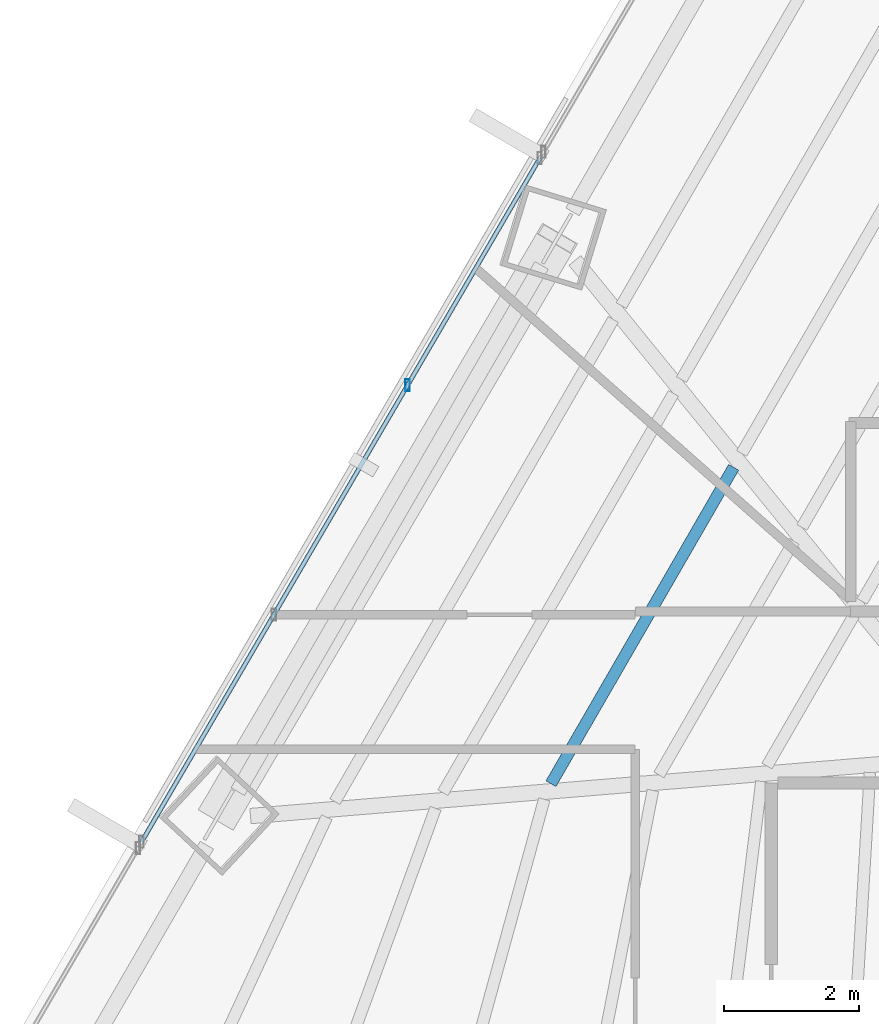
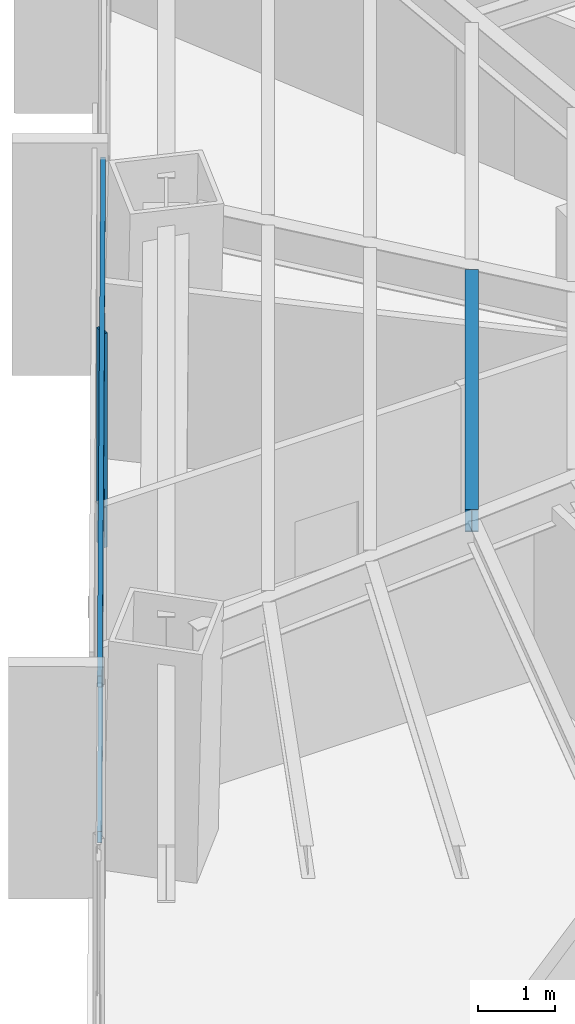
# One storey, part 14 of 37: 3 members, 1 beam, 1 element without a shape of its own.
"""IFC4 building model written with IfcOpenShell, lengths in metres."""

from ifc_helpers import new_model, si_unit, direction, frame, origin, origin_2d, place, context, subcontext, project, spatial, hollow_rectangle, i_section, extrude, source, transform, mapped, material, material_profile, profile_set, type_object, type_shapes, element, aggregate, save


model = new_model("IFC4")

# Units and contexts
model_context = context("Model", 3, precision=1e-05, world=origin(), true_north=direction((0.0, 1.0)))
body_context = subcontext(model_context, "Body", "Model", "MODEL_VIEW")
ifc_project = project(units=[si_unit("LENGTHUNIT", "METRE"), si_unit("AREAUNIT", "SQUARE_METRE"), si_unit("VOLUMEUNIT", "CUBIC_METRE"), si_unit("PLANEANGLEUNIT", "RADIAN"), si_unit("MASSUNIT", "GRAM", prefix="KILO")], contexts=[model_context])

# Site, building, storey
site_placement = place(None, origin())
site = spatial("IfcSite", under=ifc_project, at=site_placement, CompositionType="ELEMENT")
building_placement = place(site_placement, origin())
building = spatial("IfcBuilding", under=site, at=building_placement, Name="Caelisora Broadcast Tower", CompositionType="ELEMENT")
storey_placement = place(building_placement, frame((0.0, 0.0, 45.85009765625)))
storey = spatial("IfcBuildingStorey", under=building, at=storey_placement, Name="L11", CompositionType="ELEMENT", Elevation=45.85009765625)

# Beam
ifc_material_1 = material(Name="Steel Grade 350 (AS/NZS 3679.1)", Category="steel")
ifc_material_profile_1 = material_profile(ifc_material_1, i_section(OverallWidth=0.172119140625, OverallDepth=0.358642578125, WebThickness=0.008056640625, FlangeThickness=0.012939453125, at=origin_2d()), Name="Steel Grade 350 (AS/NZS 3679.1)")
ifc_profile_set_1 = profile_set([ifc_material_profile_1], Name="Steel Grade 350 (AS/NZS 3679.1)")
beam_type = type_object("IfcBeamType", Name="SB02", PredefinedType="JOIST", material=ifc_profile_set_1)
shared_shape_1 = source(origin(), body_context, "Body", "SweptSolid", [
    extrude(i_section(OverallWidth=0.172119140625, OverallDepth=0.358642578125, WebThickness=0.008056640625, FlangeThickness=0.012939453125, at=origin_2d()), origin(), (0.0, 0.0, 1.0), 5.431884765625),
])
type_shapes(beam_type, [shared_shape_1])
beam_placement = place(storey_placement, frame((26.861083984375, 34.29248046875, 3.220703125), z_axis=(-0.5000207315, -0.866013434116, 0.0), x_axis=(0.866013434116, -0.5000207315, 0.0)))
element("IfcBeam", 1, at=beam_placement, inside=storey, type_object=beam_type, Name="L11 beam SB02", PredefinedType="JOIST", context=body_context, shape_type="MappedRepresentation", body=[
    mapped(shared_shape_1, transform((0.0, 0.0, 0.0), scale=1.0)),
])

# Curtain wall, members
ifc_material_2 = material(Name="Unitised Aluminium Insulated Shadow-Box Spandrel Curtain Wall", Category="aluminium")
curtain_wall_type = type_object("IfcCurtainWallType", Name="CW-SP1", PredefinedType="NOTDEFINED", material=ifc_material_2)
curtain_wall_placement = place(storey_placement, origin())
curtain_wall = element("IfcCurtainWall", 2, at=curtain_wall_placement, inside=storey, type_object=curtain_wall_type, Name="L11 curtain wall CW-SP1", PredefinedType="NOTDEFINED")
ifc_material_3 = material(Name="Aluminium 6063-T6 Anodised Terracotta Bronze", Category="aluminium")
ifc_material_profile_2 = material_profile(ifc_material_3, hollow_rectangle(XDim=0.06494140625, YDim=0.179931640625, WallThickness=0.00341796875, at=origin_2d()), Name="Aluminium 6063-T6 Anodised Terracotta Bronze")
ifc_profile_set_2 = profile_set([ifc_material_profile_2], Name="Aluminium 6063-T6 Anodised Terracotta Bronze")
member_type_1 = type_object("IfcMemberType", Name="CWM-02", PredefinedType="MULLION", material=ifc_profile_set_2)
shared_shape_2 = source(origin(), body_context, "Body", "SweptSolid", [
    extrude(hollow_rectangle(XDim=0.06494140625, YDim=0.179931640625, WallThickness=0.00341796875, at=origin_2d()), origin(), (0.0, 0.0, 1.0), 3.39990234375),
])
type_shapes(member_type_1, [shared_shape_2])
member_1_placement = place(storey_placement, frame((22.014892578125, 35.5146484375, 0.0), z_axis=(0.0, 0.0, 1.0), x_axis=(1.0, 0.0, 0.0)))
member_1 = element("IfcMember", 3, at=member_1_placement, type_object=member_type_1, Name="L11-CW-B10 mullion #2", PredefinedType="MULLION", context=body_context, shape_type="MappedRepresentation", body=[
    mapped(shared_shape_2, transform((0.0, 0.0, 0.0), scale=1.0)),
])
ifc_material_profile_3 = material_profile(ifc_material_3, hollow_rectangle(XDim=0.06494140625, YDim=0.179931640625, WallThickness=0.00341796875, at=origin_2d()), Name="Aluminium 6063-T6 Anodised Terracotta Bronze")
ifc_profile_set_3 = profile_set([ifc_material_profile_3], Name="Aluminium 6063-T6 Anodised Terracotta Bronze")
member_type_2 = type_object("IfcMemberType", Name="CWT-01", PredefinedType="USERDEFINED", material=ifc_profile_set_3)
shared_shape_3 = source(origin(), body_context, "Body", "SweptSolid", [
    extrude(hollow_rectangle(XDim=0.06494140625, YDim=0.179931640625, WallThickness=0.00341796875, at=origin_2d()), origin(), (0.0, 0.0, 1.0), 11.7587890625),
])
type_shapes(member_type_2, [shared_shape_3])
member_2_placement = place(storey_placement, frame((18.060791015625, 28.726318359375, 0.849853515625), z_axis=(0.503317120008, 0.864101774507, 0.0), x_axis=(-0.864101774507, 0.503317120008, 0.0)))
member_2 = element("IfcMember", 4, at=member_2_placement, type_object=member_type_2, Name="L11-CW-B10 transom #1", ObjectType="TRANSOM", PredefinedType="USERDEFINED", context=body_context, shape_type="MappedRepresentation", body=[
    mapped(shared_shape_3, transform((0.0, 0.0, 0.0), scale=1.0)),
])
member_3_placement = place(storey_placement, frame((18.060791015625, 28.726318359375, 3.31982421875), z_axis=(0.503317120008, 0.864101774507, 0.0), x_axis=(-0.864101774507, 0.503317120008, 0.0)))
member_3 = element("IfcMember", 5, at=member_3_placement, type_object=member_type_2, Name="L11-CW-B10 transom #2", ObjectType="TRANSOM", PredefinedType="USERDEFINED", context=body_context, shape_type="MappedRepresentation", body=[
    mapped(shared_shape_3, transform((0.0, 0.0, 0.0), scale=1.0)),
])
aggregate(curtain_wall, [member_1, member_2, member_3])

save(model, "model.ifc")
